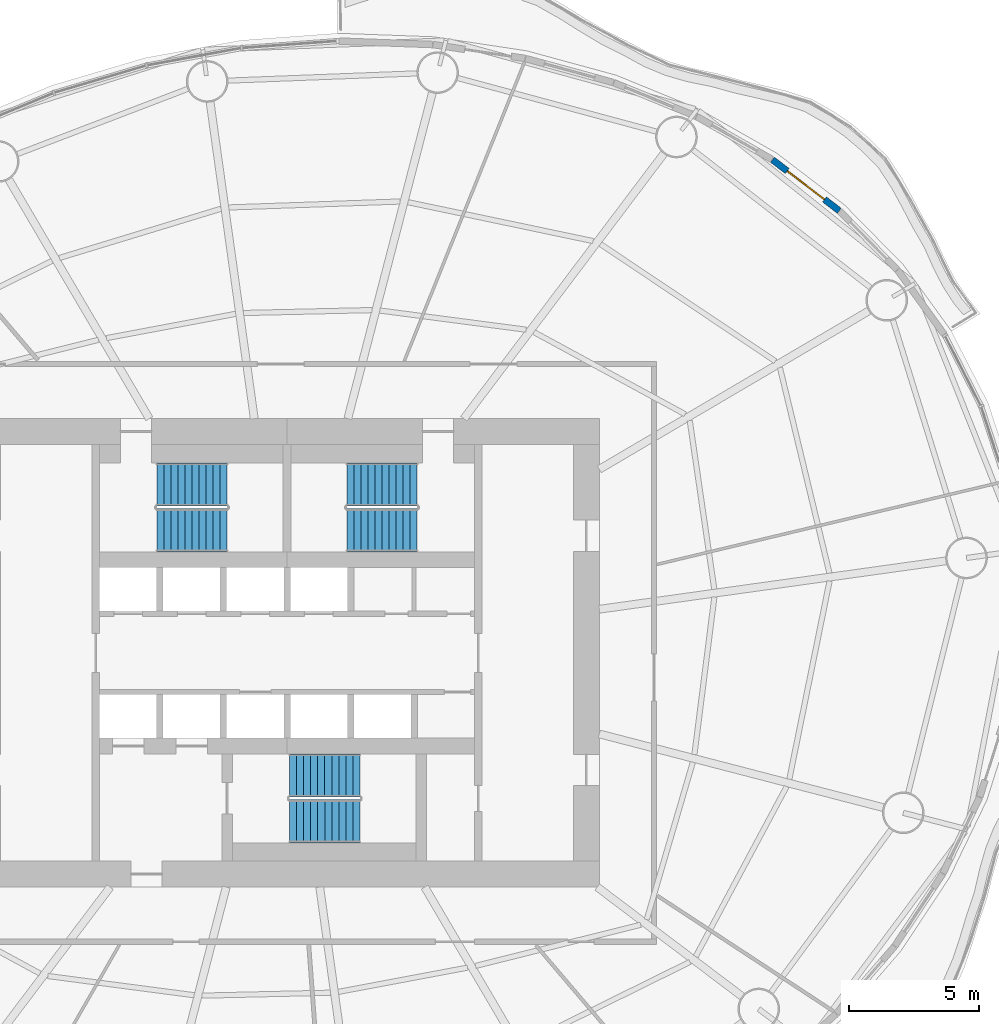
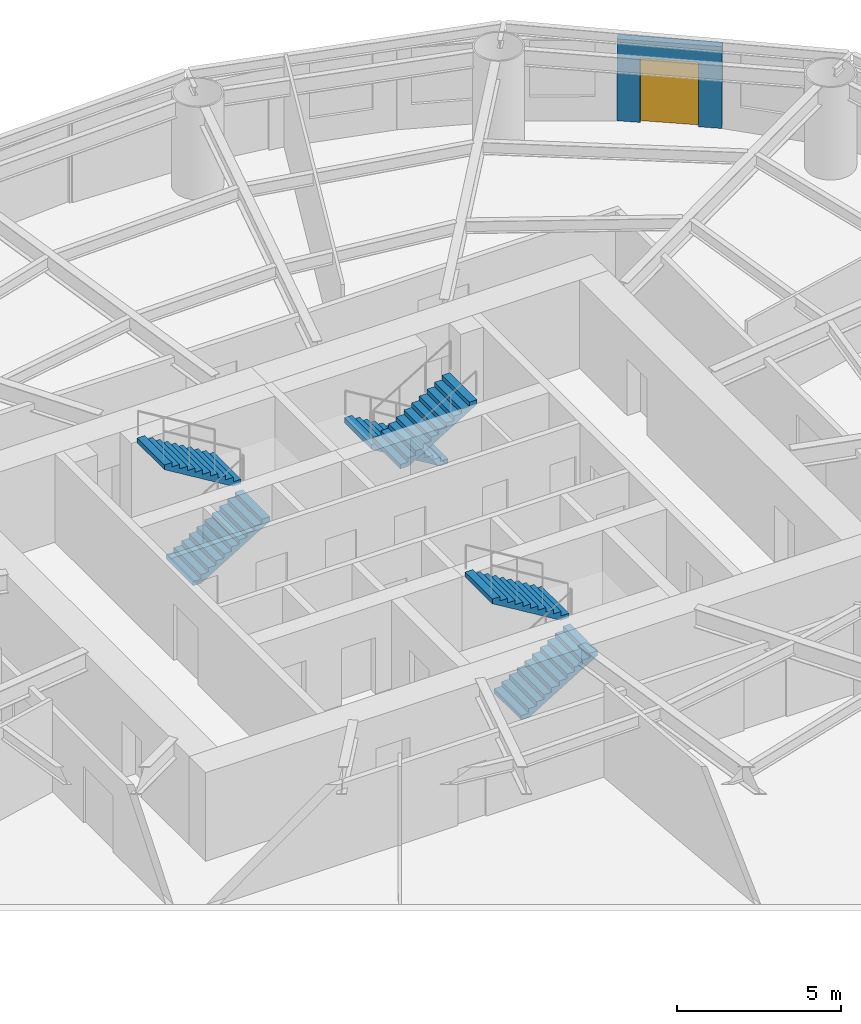
# One storey, part 11 of 16: 6 stair flights, 1 door, 1 wall, 1 opening, 3 elements without a shape of their own.
"""IFC4 building model written with IfcOpenShell, lengths in metres."""

from ifc_helpers import new_model, si_unit, direction, frame, frame_2d, origin, place, context, subcontext, project, spatial, polyline, rectangle, outline, extrude, material, layer, layer_set, type_object, element, fill, aggregate, save


model = new_model("IFC4")

# Units and contexts
model_context = context("Model", 3, precision=1e-05, world=origin(), true_north=direction((0.0, 1.0)))
body_context = subcontext(model_context, "Body", "Model", "MODEL_VIEW")
ifc_project = project(units=[si_unit("LENGTHUNIT", "METRE"), si_unit("AREAUNIT", "SQUARE_METRE"), si_unit("VOLUMEUNIT", "CUBIC_METRE"), si_unit("PLANEANGLEUNIT", "RADIAN"), si_unit("MASSUNIT", "GRAM", prefix="KILO")], contexts=[model_context])

# Site, building, storey
site_placement = place(None, origin())
site = spatial("IfcSite", under=ifc_project, at=site_placement, CompositionType="ELEMENT")
building_placement = place(site_placement, origin())
building = spatial("IfcBuilding", under=site, at=building_placement, Name="Vermilion Reach Broadcast Tower", CompositionType="ELEMENT")
storey_placement = place(building_placement, frame((0.0, 0.0, 88.60009765625)))
storey = spatial("IfcBuildingStorey", under=building, at=storey_placement, Name="L19", CompositionType="ELEMENT", Elevation=88.60009765625)

# Wall, opening, door
ifc_material_1 = material(Name="Terracotta rainscreen cladding", Category="masonry")
ifc_layer = layer(ifc_material_1, 0.25)
ifc_layer_set = layer_set([ifc_layer], Name="Terracotta rainscreen wall 250")
wall_type = type_object("IfcWallType", Name="Terracotta rainscreen wall 250", PredefinedType="SOLIDWALL", material=ifc_layer_set)
wall_placement = place(storey_placement, frame((15.219482421875, 16.986328125, 0.0), z_axis=(0.0, 0.0, 1.0), x_axis=(-0.794820819691, 0.606844184768, 0.0)))
wall = element("IfcWall", 1, at=wall_placement, inside=storey, type_object=wall_type, Name="External wall L19 04", PredefinedType="SOLIDWALL", context=body_context, shape_type="SweptSolid", body=[
    extrude(rectangle(XDim=3.2314453125, YDim=0.25, at=frame_2d((1.61572265625, 0.0))), origin(), (0.0, 0.0, 1.0), 3.0498046875),
])
opening_placement = place(wall_placement, frame((0.716064453125, 0.0, 0.0)))
opening = element("IfcOpeningElement", 2, at=opening_placement, cuts=wall, Name="Opening D70", PredefinedType="OPENING", context=body_context, shape_type="SweptSolid", body=[
    extrude(rectangle(XDim=1.800048828125, YDim=2.39990234375, at=frame_2d((0.89990234375, 1.199951171875))), frame((0.0, 0.135009765625, 0.0), z_axis=(0.0, -1.0, 0.0), x_axis=(1.0, 0.0, 0.0)), (0.0, 0.0, 1.0), 0.27001953125),
])
ifc_material_2 = material(Name="Low-e laminated clear glass in aluminium frame", Category="aluminium")
door_type = type_object("IfcDoorType", Name="Balcony sliding door 1800 x 2400", OperationType="DOUBLE_DOOR_SLIDING", PredefinedType="DOOR", material=ifc_material_2)
door_placement = place(opening_placement, origin())
door = element("IfcDoor", 3, at=door_placement, inside=storey, type_object=door_type, Name="Balcony door L19 run 01", OperationType="DOUBLE_DOOR_SLIDING", OverallHeight=2.39990234375, OverallWidth=1.800048828125, PredefinedType="DOOR", context=body_context, shape_type="SweptSolid", body=[
    extrude(rectangle(XDim=1.800048828125, YDim=2.39990234375, at=frame_2d((0.89990234375, 1.199951171875))), frame((0.0, 0.02490234375, 0.0), z_axis=(0.0, -1.0, 0.0), x_axis=(1.0, 0.0, 0.0)), (0.0, 0.0, 1.0), 0.050048828125),
])
fill(opening, door)

# Stair, stair flights
ifc_material_3 = material(Name="Concrete C40", Category="concrete")
stair_type = type_object("IfcStairType", Name="Exit stair RC 22 risers 164 mm", PredefinedType="HALF_TURN_STAIR", material=ifc_material_3)
placement = place(storey_placement, origin())
stair_1 = element("IfcStair", 4, at=placement, inside=storey, type_object=stair_type, Name="L19 Exit stair ST1", PredefinedType="HALF_TURN_STAIR")
ifc_material_4 = material(Name="Concrete C40", Category="concrete")
stair_flight_type = type_object("IfcStairFlightType", Name="Exit stair flight RC 11 risers", PredefinedType="STRAIGHT", material=ifc_material_4)
stair_flight_1_placement = place(storey_placement, frame((-11.0, 4.7099609375, 0.0), z_axis=(0.0, 0.0, 1.0), x_axis=(1.0, 0.0, 0.0)))
stair_flight_1 = element("IfcStairFlight", 5, at=stair_flight_1_placement, type_object=stair_flight_type, Name="ST1 flight 1", NumberOfRisers=11, NumberOfTreads=10, PredefinedType="STRAIGHT", RiserHeight=0.163636364, TreadLength=0.27, context=body_context, shape_type="SweptSolid", body=[
    extrude(outline(polyline([(0.0, 0.0), (0.0, 0.16357421875), (0.27001953125, 0.16357421875), (0.27001953125, 0.327392578125), (0.5400390625, 0.327392578125), (0.5400390625, 0.490966796875), (0.81005859375, 0.490966796875), (0.81005859375, 0.654541015625), (1.080078125, 0.654541015625), (1.080078125, 0.818115234375), (1.35009765625, 0.818115234375), (1.35009765625, 0.98193359375), (1.6201171875, 0.98193359375), (1.6201171875, 1.1455078125), (1.889892578125, 1.1455078125), (1.889892578125, 1.30908203125), (2.159912109375, 1.30908203125), (2.159912109375, 1.47265625), (2.429931640625, 1.47265625), (2.429931640625, 1.636474609375), (2.699951171875, 1.636474609375), (2.699951171875, 1.800048828125), (2.699951171875, 1.461181640625), (0.289306640625, 0.0), (0.0, 0.0)])), frame((0.0, 0.830078125, 0.0), z_axis=(0.0, -1.0, 0.0), x_axis=(1.0, 0.0, 0.0)), (0.0, 0.0, 1.0), 1.659912109375),
])
stair_flight_2_placement = place(storey_placement, frame((-8.300048828125, 6.469970703125, 1.7998046875), z_axis=(0.0, 0.0, 1.0), x_axis=(-1.0, 0.0, 0.0)))
stair_flight_2 = element("IfcStairFlight", 6, at=stair_flight_2_placement, type_object=stair_flight_type, Name="ST1 flight 2", NumberOfRisers=11, NumberOfTreads=10, PredefinedType="STRAIGHT", RiserHeight=0.163636364, TreadLength=0.27, context=body_context, shape_type="SweptSolid", body=[
    extrude(outline(polyline([(0.0, 0.0), (0.0, 0.16357421875), (0.27001953125, 0.16357421875), (0.27001953125, 0.327392578125), (0.5400390625, 0.327392578125), (0.5400390625, 0.490966796875), (0.81005859375, 0.490966796875), (0.81005859375, 0.654541015625), (1.080078125, 0.654541015625), (1.080078125, 0.818115234375), (1.35009765625, 0.818115234375), (1.35009765625, 0.98193359375), (1.6201171875, 0.98193359375), (1.6201171875, 1.1455078125), (1.889892578125, 1.1455078125), (1.889892578125, 1.30908203125), (2.159912109375, 1.30908203125), (2.159912109375, 1.47265625), (2.429931640625, 1.47265625), (2.429931640625, 1.636474609375), (2.699951171875, 1.636474609375), (2.699951171875, 1.800048828125), (2.699951171875, 1.461181640625), (0.289306640625, 0.0), (0.0, 0.0)])), frame((0.0, 0.830078125, 0.0), z_axis=(0.0, -1.0, 0.0), x_axis=(1.0, 0.0, 0.0)), (0.0, 0.0, 1.0), 1.659912109375),
])
aggregate(stair_1, [stair_flight_1, stair_flight_2])

stair_2 = element("IfcStair", 7, at=placement, inside=storey, type_object=stair_type, Name="L19 Exit stair ST2", PredefinedType="HALF_TURN_STAIR")
stair_flight_3_placement = place(storey_placement, frame((-1.0, 6.469970703125, 0.0), z_axis=(0.0, 0.0, 1.0), x_axis=(-1.0, 0.0, 0.0)))
stair_flight_3 = element("IfcStairFlight", 8, at=stair_flight_3_placement, type_object=stair_flight_type, Name="ST2 flight 1", NumberOfRisers=11, NumberOfTreads=10, PredefinedType="STRAIGHT", RiserHeight=0.163636364, TreadLength=0.27, context=body_context, shape_type="SweptSolid", body=[
    extrude(outline(polyline([(0.0, 0.0), (0.0, 0.16357421875), (0.27001953125, 0.16357421875), (0.27001953125, 0.327392578125), (0.5400390625, 0.327392578125), (0.5400390625, 0.490966796875), (0.81005859375, 0.490966796875), (0.81005859375, 0.654541015625), (1.080078125, 0.654541015625), (1.080078125, 0.818115234375), (1.35009765625, 0.818115234375), (1.35009765625, 0.98193359375), (1.6201171875, 0.98193359375), (1.6201171875, 1.1455078125), (1.889892578125, 1.1455078125), (1.889892578125, 1.30908203125), (2.159912109375, 1.30908203125), (2.159912109375, 1.47265625), (2.429931640625, 1.47265625), (2.429931640625, 1.636474609375), (2.699951171875, 1.636474609375), (2.699951171875, 1.800048828125), (2.699951171875, 1.461181640625), (0.289306640625, 0.0), (0.0, 0.0)])), frame((0.0, 0.830078125, 0.0), z_axis=(0.0, -1.0, 0.0), x_axis=(1.0, 0.0, 0.0)), (0.0, 0.0, 1.0), 1.659912109375),
])
stair_flight_4_placement = place(storey_placement, frame((-3.699951171875, 4.7099609375, 1.7998046875), z_axis=(0.0, 0.0, 1.0), x_axis=(1.0, 0.0, 0.0)))
stair_flight_4 = element("IfcStairFlight", 9, at=stair_flight_4_placement, type_object=stair_flight_type, Name="ST2 flight 2", NumberOfRisers=11, NumberOfTreads=10, PredefinedType="STRAIGHT", RiserHeight=0.163636364, TreadLength=0.27, context=body_context, shape_type="SweptSolid", body=[
    extrude(outline(polyline([(0.0, 0.0), (0.0, 0.16357421875), (0.27001953125, 0.16357421875), (0.27001953125, 0.327392578125), (0.5400390625, 0.327392578125), (0.5400390625, 0.490966796875), (0.81005859375, 0.490966796875), (0.81005859375, 0.654541015625), (1.080078125, 0.654541015625), (1.080078125, 0.818115234375), (1.35009765625, 0.818115234375), (1.35009765625, 0.98193359375), (1.6201171875, 0.98193359375), (1.6201171875, 1.1455078125), (1.889892578125, 1.1455078125), (1.889892578125, 1.30908203125), (2.159912109375, 1.30908203125), (2.159912109375, 1.47265625), (2.429931640625, 1.47265625), (2.429931640625, 1.636474609375), (2.699951171875, 1.636474609375), (2.699951171875, 1.800048828125), (2.699951171875, 1.461181640625), (0.289306640625, 0.0), (0.0, 0.0)])), frame((0.0, 0.830078125, 0.0), z_axis=(0.0, -1.0, 0.0), x_axis=(1.0, 0.0, 0.0)), (0.0, 0.0, 1.0), 1.659912109375),
])
aggregate(stair_2, [stair_flight_3, stair_flight_4])

stair_3 = element("IfcStair", 10, at=placement, inside=storey, type_object=stair_type, Name="L19 Exit stair ST3", PredefinedType="HALF_TURN_STAIR")
stair_flight_5_placement = place(storey_placement, frame((-5.89990234375, -6.469970703125, 0.0), z_axis=(0.0, 0.0, 1.0), x_axis=(1.0, 0.0, 0.0)))
stair_flight_5 = element("IfcStairFlight", 11, at=stair_flight_5_placement, type_object=stair_flight_type, Name="ST3 flight 1", NumberOfRisers=11, NumberOfTreads=10, PredefinedType="STRAIGHT", RiserHeight=0.163636364, TreadLength=0.27, context=body_context, shape_type="SweptSolid", body=[
    extrude(outline(polyline([(0.0, 0.0), (0.0, 0.16357421875), (0.27001953125, 0.16357421875), (0.27001953125, 0.327392578125), (0.5400390625, 0.327392578125), (0.5400390625, 0.490966796875), (0.81005859375, 0.490966796875), (0.81005859375, 0.654541015625), (1.080078125, 0.654541015625), (1.080078125, 0.818115234375), (1.35009765625, 0.818115234375), (1.35009765625, 0.98193359375), (1.6201171875, 0.98193359375), (1.6201171875, 1.1455078125), (1.889892578125, 1.1455078125), (1.889892578125, 1.30908203125), (2.159912109375, 1.30908203125), (2.159912109375, 1.47265625), (2.429931640625, 1.47265625), (2.429931640625, 1.636474609375), (2.699951171875, 1.636474609375), (2.699951171875, 1.800048828125), (2.699951171875, 1.461181640625), (0.289306640625, 0.0), (0.0, 0.0)])), frame((0.0, 0.830078125, 0.0), z_axis=(0.0, -1.0, 0.0), x_axis=(1.0, 0.0, 0.0)), (0.0, 0.0, 1.0), 1.659912109375),
])
stair_flight_6_placement = place(storey_placement, frame((-3.199951171875, -4.7099609375, 1.7998046875), z_axis=(0.0, 0.0, 1.0), x_axis=(-1.0, 0.0, 0.0)))
stair_flight_6 = element("IfcStairFlight", 12, at=stair_flight_6_placement, type_object=stair_flight_type, Name="ST3 flight 2", NumberOfRisers=11, NumberOfTreads=10, PredefinedType="STRAIGHT", RiserHeight=0.163636364, TreadLength=0.27, context=body_context, shape_type="SweptSolid", body=[
    extrude(outline(polyline([(0.0, 0.0), (0.0, 0.16357421875), (0.27001953125, 0.16357421875), (0.27001953125, 0.327392578125), (0.5400390625, 0.327392578125), (0.5400390625, 0.490966796875), (0.81005859375, 0.490966796875), (0.81005859375, 0.654541015625), (1.080078125, 0.654541015625), (1.080078125, 0.818115234375), (1.35009765625, 0.818115234375), (1.35009765625, 0.98193359375), (1.6201171875, 0.98193359375), (1.6201171875, 1.1455078125), (1.889892578125, 1.1455078125), (1.889892578125, 1.30908203125), (2.159912109375, 1.30908203125), (2.159912109375, 1.47265625), (2.429931640625, 1.47265625), (2.429931640625, 1.636474609375), (2.699951171875, 1.636474609375), (2.699951171875, 1.800048828125), (2.699951171875, 1.461181640625), (0.289306640625, 0.0), (0.0, 0.0)])), frame((0.0, 0.830078125, 0.0), z_axis=(0.0, -1.0, 0.0), x_axis=(1.0, 0.0, 0.0)), (0.0, 0.0, 1.0), 1.659912109375),
])
aggregate(stair_3, [stair_flight_5, stair_flight_6])

save(model, "model.ifc")
